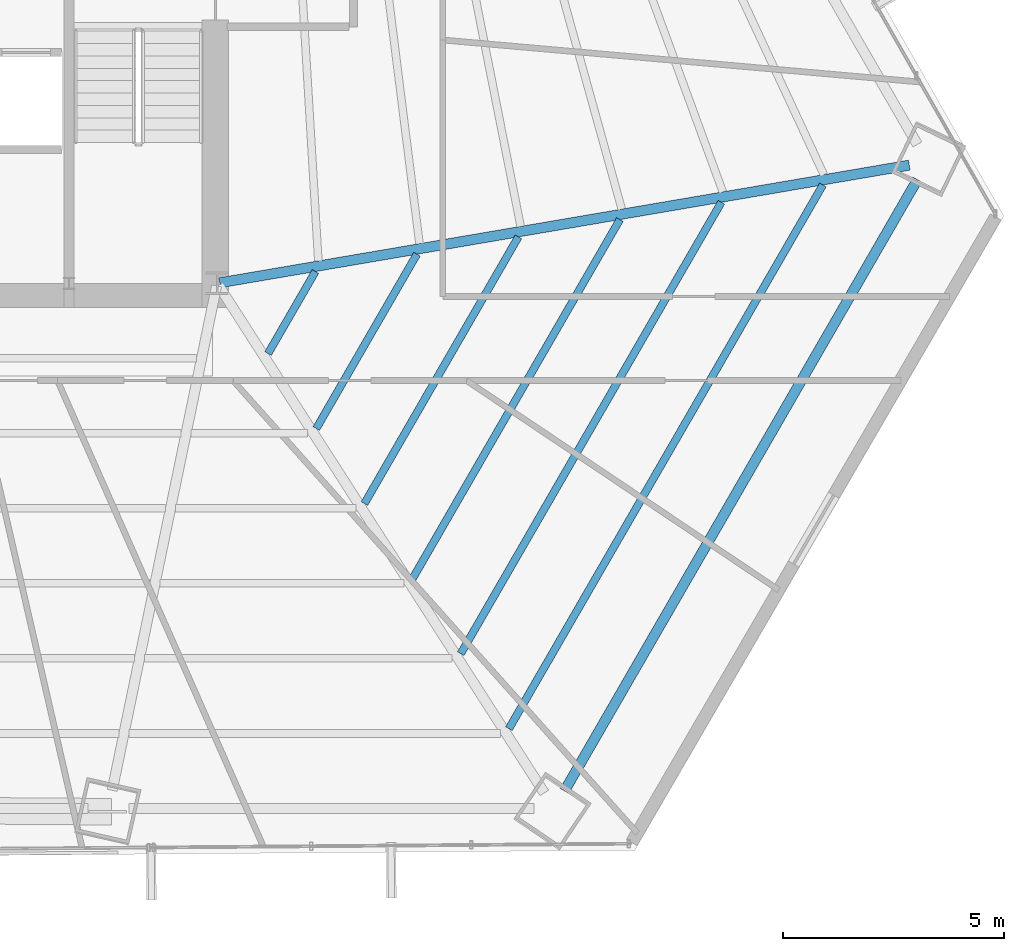
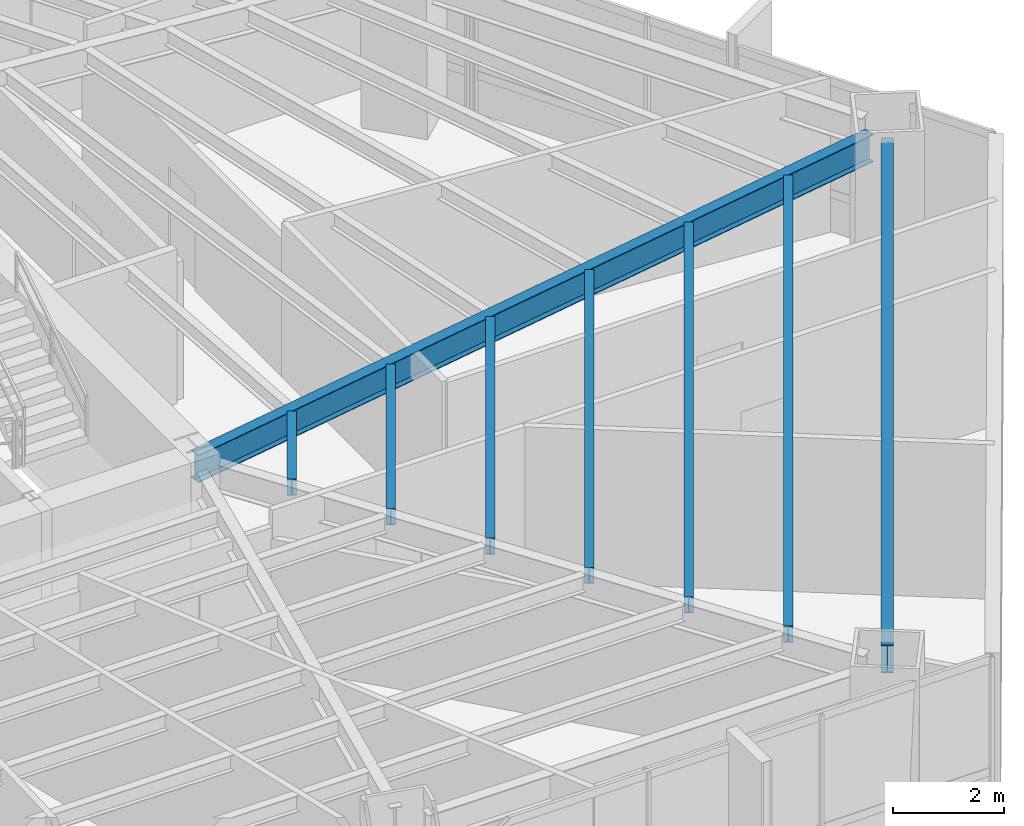
# One storey, part 19 of 36: 8 beams.
"""IFC4 building model written with IfcOpenShell, lengths in metres."""

from ifc_helpers import new_model, si_unit, direction, frame, origin, origin_2d, place, context, subcontext, project, spatial, i_section, extrude, source, transform, mapped, material, material_profile, profile_set, type_object, type_shapes, element, save


model = new_model("IFC4")

# Units and contexts
model_context = context("Model", 3, precision=1e-05, world=origin(), true_north=direction((0.0, 1.0)))
body_context = subcontext(model_context, "Body", "Model", "MODEL_VIEW")
ifc_project = project(units=[si_unit("LENGTHUNIT", "METRE"), si_unit("AREAUNIT", "SQUARE_METRE"), si_unit("VOLUMEUNIT", "CUBIC_METRE"), si_unit("PLANEANGLEUNIT", "RADIAN"), si_unit("MASSUNIT", "GRAM", prefix="KILO")], contexts=[model_context])

# Site, building, storey
site_placement = place(None, origin())
site = spatial("IfcSite", under=ifc_project, at=site_placement, CompositionType="ELEMENT")
building_placement = place(site_placement, origin())
building = spatial("IfcBuilding", under=site, at=building_placement, Name="Caelisora Broadcast Tower", CompositionType="ELEMENT")
storey_placement = place(building_placement, frame((0.0, 0.0, 60.449951171875)))
storey = spatial("IfcBuildingStorey", under=building, at=storey_placement, Name="L15", CompositionType="ELEMENT", Elevation=60.449951171875)

# Beams
ifc_material = material(Name="Steel Grade 350 (AS/NZS 3679.1)", Category="steel")
ifc_material_profile_1 = material_profile(ifc_material, i_section(OverallWidth=0.22900390625, OverallDepth=0.611572265625, WebThickness=0.011962890625, FlangeThickness=0.01953125, at=origin_2d()), Name="Steel Grade 350 (AS/NZS 3679.1)")
ifc_profile_set_1 = profile_set([ifc_material_profile_1], Name="Steel Grade 350 (AS/NZS 3679.1)")
beam_type_1 = type_object("IfcBeamType", Name="PG03", PredefinedType="BEAM", material=ifc_profile_set_1)
shared_shape_1 = source(origin(), body_context, "Body", "SweptSolid", [
    extrude(i_section(OverallWidth=0.22900390625, OverallDepth=0.611572265625, WebThickness=0.011962890625, FlangeThickness=0.01953125, at=origin_2d()), origin(), (0.0, 0.0, 1.0), 15.959228515625),
])
type_shapes(beam_type_1, [shared_shape_1])
beam_1_placement = place(storey_placement, frame((53.35400390625, 5.92138671875, 3.09423828125), z_axis=(0.499995684971, 0.866027895053, 0.0), x_axis=(-0.866027895053, 0.499995684971, 0.0)))
element("IfcBeam", 1, at=beam_1_placement, inside=storey, type_object=beam_type_1, Name="L15 beam PG03", PredefinedType="BEAM", context=body_context, shape_type="MappedRepresentation", body=[
    mapped(shared_shape_1, transform((0.0, 0.0, 0.0), scale=1.0)),
])
ifc_material_profile_2 = material_profile(ifc_material, i_section(OverallWidth=0.22802734375, OverallDepth=0.602294921875, WebThickness=0.010498046875, FlangeThickness=0.014892578125, at=origin_2d()), Name="Steel Grade 350 (AS/NZS 3679.1)")
ifc_profile_set_2 = profile_set([ifc_material_profile_2], Name="Steel Grade 350 (AS/NZS 3679.1)")
beam_type_2 = type_object("IfcBeamType", Name="PG04", PredefinedType="BEAM", material=ifc_profile_set_2)
shared_shape_2 = source(origin(), body_context, "Body", "SweptSolid", [
    extrude(i_section(OverallWidth=0.22802734375, OverallDepth=0.602294921875, WebThickness=0.010498046875, FlangeThickness=0.014892578125, at=origin_2d()), origin(), (0.0, 0.0, 1.0), 15.81591796875),
])
type_shapes(beam_type_2, [shared_shape_2])
beam_2_placement = place(storey_placement, frame((45.55908203125, 17.41015625, 3.098876953125), z_axis=(0.985753721573, 0.168195125985, 0.0), x_axis=(-0.168195125985, 0.985753721573, 0.0)))
element("IfcBeam", 2, at=beam_2_placement, inside=storey, type_object=beam_type_2, Name="L15 beam PG04", PredefinedType="BEAM", context=body_context, shape_type="MappedRepresentation", body=[
    mapped(shared_shape_2, transform((0.0, 0.0, 0.0), scale=1.0)),
])
ifc_material_profile_3 = material_profile(ifc_material, i_section(OverallWidth=0.172119140625, OverallDepth=0.358642578125, WebThickness=0.008056640625, FlangeThickness=0.012939453125, at=origin_2d()), Name="Steel Grade 350 (AS/NZS 3679.1)")
ifc_profile_set_3 = profile_set([ifc_material_profile_3], Name="Steel Grade 350 (AS/NZS 3679.1)")
beam_type_3 = type_object("IfcBeamType", Name="SB02", PredefinedType="JOIST", material=ifc_profile_set_3)
shared_shape_3 = source(origin(), body_context, "Body", "SweptSolid", [
    extrude(i_section(OverallWidth=0.172119140625, OverallDepth=0.358642578125, WebThickness=0.008056640625, FlangeThickness=0.012939453125, at=origin_2d()), origin(), (0.0, 0.0, 1.0), 2.140869140625),
])
beam_3_placement = place(storey_placement, frame((46.65185546875, 15.811767578125, 3.220703125), z_axis=(0.499916586545, 0.86607355721, 0.0), x_axis=(-0.86607355721, 0.499916586545, 0.0)))
element("IfcBeam", 3, at=beam_3_placement, inside=storey, type_object=beam_type_3, Name="L15 beam SB02", PredefinedType="JOIST", context=body_context, shape_type="MappedRepresentation", body=[
    mapped(shared_shape_3, transform((0.0, 0.0, 0.0), scale=1.0)),
])
shared_shape_4 = source(origin(), body_context, "Body", "SweptSolid", [
    extrude(i_section(OverallWidth=0.172119140625, OverallDepth=0.358642578125, WebThickness=0.008056640625, FlangeThickness=0.012939453125, at=origin_2d()), origin(), (0.0, 0.0, 1.0), 4.55224609375),
])
beam_4_placement = place(storey_placement, frame((47.740966796875, 14.114990234375, 3.220703125), z_axis=(0.499997902498, 0.866026614774, 0.0), x_axis=(-0.866026614774, 0.499997902498, 0.0)))
element("IfcBeam", 4, at=beam_4_placement, inside=storey, type_object=beam_type_3, Name="L15 beam SB02", PredefinedType="JOIST", context=body_context, shape_type="MappedRepresentation", body=[
    mapped(shared_shape_4, transform((0.0, 0.0, 0.0), scale=1.0)),
])
shared_shape_5 = source(origin(), body_context, "Body", "SweptSolid", [
    extrude(i_section(OverallWidth=0.172119140625, OverallDepth=0.358642578125, WebThickness=0.008056640625, FlangeThickness=0.012939453125, at=origin_2d()), origin(), (0.0, 0.0, 1.0), 6.96337890625),
])
beam_5_placement = place(storey_placement, frame((48.830078125, 12.41845703125, 3.220703125), z_axis=(0.49999660792, 0.866027362194, 0.0), x_axis=(-0.866027362194, 0.49999660792, 0.0)))
element("IfcBeam", 5, at=beam_5_placement, inside=storey, type_object=beam_type_3, Name="L15 beam SB02", PredefinedType="JOIST", context=body_context, shape_type="MappedRepresentation", body=[
    mapped(shared_shape_5, transform((0.0, 0.0, 0.0), scale=1.0)),
])
shared_shape_6 = source(origin(), body_context, "Body", "SweptSolid", [
    extrude(i_section(OverallWidth=0.172119140625, OverallDepth=0.358642578125, WebThickness=0.008056640625, FlangeThickness=0.012939453125, at=origin_2d()), origin(), (0.0, 0.0, 1.0), 9.375),
])
beam_6_placement = place(storey_placement, frame((49.919189453125, 10.7216796875, 3.220703125), z_axis=(0.500004234368, 0.866022959057, 0.0), x_axis=(-0.866022959057, 0.500004234368, 0.0)))
element("IfcBeam", 6, at=beam_6_placement, inside=storey, type_object=beam_type_3, Name="L15 beam SB02", PredefinedType="JOIST", context=body_context, shape_type="MappedRepresentation", body=[
    mapped(shared_shape_6, transform((0.0, 0.0, 0.0), scale=1.0)),
])
shared_shape_7 = source(origin(), body_context, "Body", "SweptSolid", [
    extrude(i_section(OverallWidth=0.172119140625, OverallDepth=0.358642578125, WebThickness=0.008056640625, FlangeThickness=0.012939453125, at=origin_2d()), origin(), (0.0, 0.0, 1.0), 11.786376953125),
])
beam_7_placement = place(storey_placement, frame((51.00830078125, 9.02490234375, 3.220703125), z_axis=(0.499993204704, 0.866029327015, 0.0), x_axis=(-0.866029327015, 0.499993204704, 0.0)))
element("IfcBeam", 7, at=beam_7_placement, inside=storey, type_object=beam_type_3, Name="L15 beam SB02", PredefinedType="JOIST", context=body_context, shape_type="MappedRepresentation", body=[
    mapped(shared_shape_7, transform((0.0, 0.0, 0.0), scale=1.0)),
])
shared_shape_8 = source(origin(), body_context, "Body", "SweptSolid", [
    extrude(i_section(OverallWidth=0.172119140625, OverallDepth=0.358642578125, WebThickness=0.008056640625, FlangeThickness=0.012939453125, at=origin_2d()), origin(), (0.0, 0.0, 1.0), 14.197509765625),
])
type_shapes(beam_type_3, [shared_shape_3, shared_shape_4, shared_shape_5, shared_shape_6, shared_shape_7, shared_shape_8])
beam_8_placement = place(storey_placement, frame((52.097412109375, 7.328125, 3.220703125), z_axis=(0.500006264592, 0.86602178689, 0.0), x_axis=(-0.86602178689, 0.500006264592, 0.0)))
element("IfcBeam", 8, at=beam_8_placement, inside=storey, type_object=beam_type_3, Name="L15 beam SB02", PredefinedType="JOIST", context=body_context, shape_type="MappedRepresentation", body=[
    mapped(shared_shape_8, transform((0.0, 0.0, 0.0), scale=1.0)),
])

save(model, "model.ifc")
